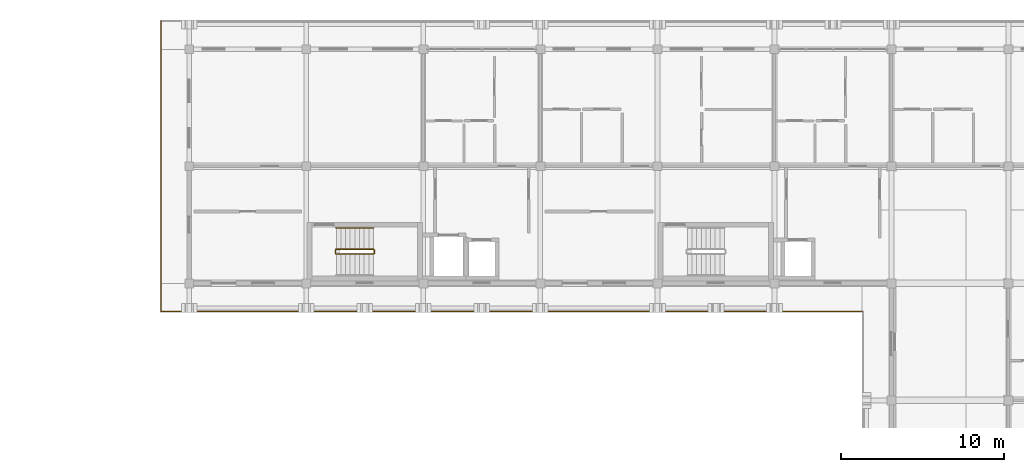
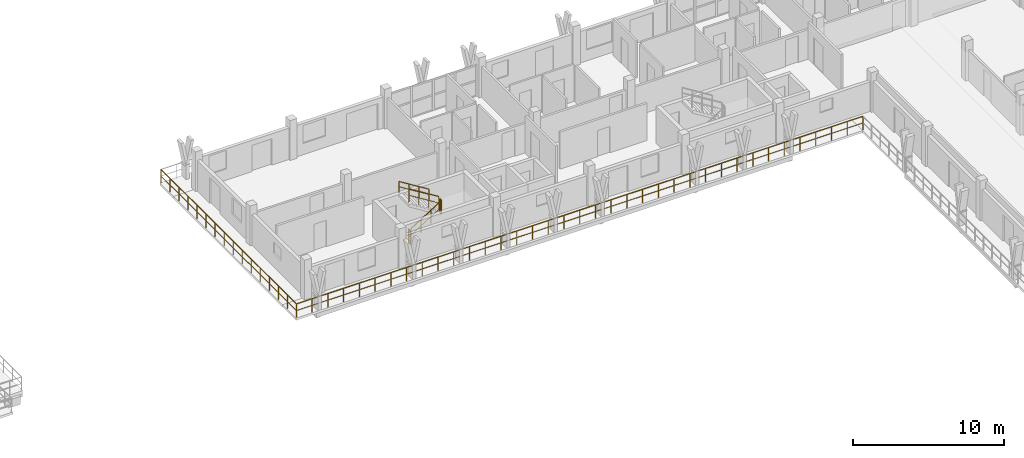
# One storey, part 65 of 67: 7 railings.
"""IFC4 building model written with IfcOpenShell, lengths in metres."""

from ifc_helpers import new_model, si_unit, direction, frame, origin, origin_2d, place, context, subcontext, project, spatial, rectangle, extrude, material, type_object, element, save


model = new_model("IFC4")

# Units and contexts
model_context = context("Model", 3, precision=1e-05, world=origin(), true_north=direction((0.0, 1.0)))
body_context = subcontext(model_context, "Body", "Model", "MODEL_VIEW")
ifc_project = project(units=[si_unit("LENGTHUNIT", "METRE"), si_unit("AREAUNIT", "SQUARE_METRE"), si_unit("VOLUMEUNIT", "CUBIC_METRE"), si_unit("PLANEANGLEUNIT", "RADIAN"), si_unit("MASSUNIT", "GRAM", prefix="KILO")], contexts=[model_context])

# Site, building, storey
site_placement = place(None, origin())
site = spatial("IfcSite", under=ifc_project, at=site_placement, CompositionType="ELEMENT")
building_placement = place(site_placement, origin())
building = spatial("IfcBuilding", under=site, at=building_placement, Name="Suanplinth Sawtooth Commons", CompositionType="ELEMENT")
storey_placement = place(building_placement, frame((0.0, 0.0, 25.10009765625)))
storey = spatial("IfcBuildingStorey", under=building, at=storey_placement, Name="L07", CompositionType="ELEMENT", Elevation=25.10009765625)

# Railings
ifc_material_1 = material(Name="Powder-coated galvanized steel", Category="steel")
railing_type_1 = type_object("IfcRailingType", Name="GR-01", PredefinedType="BALUSTRADE", material=ifc_material_1)
railing_1_placement = place(storey_placement, frame((171.06005859375, 106.260009765625, 0.0)))
element("IfcRailing", 1, at=railing_1_placement, inside=storey, type_object=railing_type_1, Name="L07 Block B Perimeter Balustrade 2", PredefinedType="BALUSTRADE", context=body_context, shape_type="SweptSolid", body=[
    extrude(rectangle(XDim=0.048095703125, YDim=0.048095703125, at=origin_2d()), frame((0.0, 0.0, 1.09619140625), z_axis=(-1.0, 0.0, 0.0), x_axis=(0.0, -1.0, 0.0)), (0.0, 0.0, 1.0), 43.199951171875),
    extrude(rectangle(XDim=0.03369140625, YDim=0.03369140625, at=origin_2d()), frame((0.0, 0.0, 0.56005859375), z_axis=(-1.0, 0.0, 0.0), x_axis=(0.0, -1.0, 0.0)), (0.0, 0.0, 1.0), 43.199951171875),
    extrude(rectangle(XDim=0.0419921875, YDim=0.0419921875, at=origin_2d()), origin(), (0.0, 0.0, 1.0), 1.072021484375),
    extrude(rectangle(XDim=0.0419921875, YDim=0.0419921875, at=origin_2d()), frame((-1.199951171875, 0.0, 0.0)), (0.0, 0.0, 1.0), 1.072021484375),
    extrude(rectangle(XDim=0.0419921875, YDim=0.0419921875, at=origin_2d()), frame((-2.39990234375, 0.0, 0.0)), (0.0, 0.0, 1.0), 1.072021484375),
    extrude(rectangle(XDim=0.0419921875, YDim=0.0419921875, at=origin_2d()), frame((-3.60009765625, 0.0, 0.0)), (0.0, 0.0, 1.0), 1.072021484375),
    extrude(rectangle(XDim=0.0419921875, YDim=0.0419921875, at=origin_2d()), frame((-4.800048828125, 0.0, 0.0)), (0.0, 0.0, 1.0), 1.072021484375),
    extrude(rectangle(XDim=0.0419921875, YDim=0.0419921875, at=origin_2d()), frame((-6.0, 0.0, 0.0)), (0.0, 0.0, 1.0), 1.072021484375),
    extrude(rectangle(XDim=0.0419921875, YDim=0.0419921875, at=origin_2d()), frame((-7.199951171875, 0.0, 0.0)), (0.0, 0.0, 1.0), 1.072021484375),
    extrude(rectangle(XDim=0.0419921875, YDim=0.0419921875, at=origin_2d()), frame((-8.39990234375, 0.0, 0.0)), (0.0, 0.0, 1.0), 1.072021484375),
    extrude(rectangle(XDim=0.0419921875, YDim=0.0419921875, at=origin_2d()), frame((-9.60009765625, 0.0, 0.0)), (0.0, 0.0, 1.0), 1.072021484375),
    extrude(rectangle(XDim=0.0419921875, YDim=0.0419921875, at=origin_2d()), frame((-10.800048828125, 0.0, 0.0)), (0.0, 0.0, 1.0), 1.072021484375),
    extrude(rectangle(XDim=0.0419921875, YDim=0.0419921875, at=origin_2d()), frame((-12.0, 0.0, 0.0)), (0.0, 0.0, 1.0), 1.072021484375),
    extrude(rectangle(XDim=0.0419921875, YDim=0.0419921875, at=origin_2d()), frame((-13.199951171875, 0.0, 0.0)), (0.0, 0.0, 1.0), 1.072021484375),
    extrude(rectangle(XDim=0.0419921875, YDim=0.0419921875, at=origin_2d()), frame((-14.39990234375, 0.0, 0.0)), (0.0, 0.0, 1.0), 1.072021484375),
    extrude(rectangle(XDim=0.0419921875, YDim=0.0419921875, at=origin_2d()), frame((-15.60009765625, 0.0, 0.0)), (0.0, 0.0, 1.0), 1.072021484375),
    extrude(rectangle(XDim=0.0419921875, YDim=0.0419921875, at=origin_2d()), frame((-16.800048828125, 0.0, 0.0)), (0.0, 0.0, 1.0), 1.072021484375),
    extrude(rectangle(XDim=0.0419921875, YDim=0.0419921875, at=origin_2d()), frame((-18.0, 0.0, 0.0)), (0.0, 0.0, 1.0), 1.072021484375),
    extrude(rectangle(XDim=0.0419921875, YDim=0.0419921875, at=origin_2d()), frame((-19.199951171875, 0.0, 0.0)), (0.0, 0.0, 1.0), 1.072021484375),
    extrude(rectangle(XDim=0.0419921875, YDim=0.0419921875, at=origin_2d()), frame((-20.39990234375, 0.0, 0.0)), (0.0, 0.0, 1.0), 1.072021484375),
    extrude(rectangle(XDim=0.0419921875, YDim=0.0419921875, at=origin_2d()), frame((-21.60009765625, 0.0, 0.0)), (0.0, 0.0, 1.0), 1.072021484375),
    extrude(rectangle(XDim=0.0419921875, YDim=0.0419921875, at=origin_2d()), frame((-22.800048828125, 0.0, 0.0)), (0.0, 0.0, 1.0), 1.072021484375),
    extrude(rectangle(XDim=0.0419921875, YDim=0.0419921875, at=origin_2d()), frame((-24.0, 0.0, 0.0)), (0.0, 0.0, 1.0), 1.072021484375),
    extrude(rectangle(XDim=0.0419921875, YDim=0.0419921875, at=origin_2d()), frame((-25.199951171875, 0.0, 0.0)), (0.0, 0.0, 1.0), 1.072021484375),
    extrude(rectangle(XDim=0.0419921875, YDim=0.0419921875, at=origin_2d()), frame((-26.39990234375, 0.0, 0.0)), (0.0, 0.0, 1.0), 1.072021484375),
    extrude(rectangle(XDim=0.0419921875, YDim=0.0419921875, at=origin_2d()), frame((-27.599853515625, 0.0, 0.0)), (0.0, 0.0, 1.0), 1.072021484375),
    extrude(rectangle(XDim=0.0419921875, YDim=0.0419921875, at=origin_2d()), frame((-28.800048828125, 0.0, 0.0)), (0.0, 0.0, 1.0), 1.072021484375),
    extrude(rectangle(XDim=0.0419921875, YDim=0.0419921875, at=origin_2d()), frame((-30.0, 0.0, 0.0)), (0.0, 0.0, 1.0), 1.072021484375),
    extrude(rectangle(XDim=0.0419921875, YDim=0.0419921875, at=origin_2d()), frame((-31.199951171875, 0.0, 0.0)), (0.0, 0.0, 1.0), 1.072021484375),
    extrude(rectangle(XDim=0.0419921875, YDim=0.0419921875, at=origin_2d()), frame((-32.39990234375, 0.0, 0.0)), (0.0, 0.0, 1.0), 1.072021484375),
    extrude(rectangle(XDim=0.0419921875, YDim=0.0419921875, at=origin_2d()), frame((-33.599853515625, 0.0, 0.0)), (0.0, 0.0, 1.0), 1.072021484375),
    extrude(rectangle(XDim=0.0419921875, YDim=0.0419921875, at=origin_2d()), frame((-34.800048828125, 0.0, 0.0)), (0.0, 0.0, 1.0), 1.072021484375),
    extrude(rectangle(XDim=0.0419921875, YDim=0.0419921875, at=origin_2d()), frame((-36.0, 0.0, 0.0)), (0.0, 0.0, 1.0), 1.072021484375),
    extrude(rectangle(XDim=0.0419921875, YDim=0.0419921875, at=origin_2d()), frame((-37.199951171875, 0.0, 0.0)), (0.0, 0.0, 1.0), 1.072021484375),
    extrude(rectangle(XDim=0.0419921875, YDim=0.0419921875, at=origin_2d()), frame((-38.39990234375, 0.0, 0.0)), (0.0, 0.0, 1.0), 1.072021484375),
    extrude(rectangle(XDim=0.0419921875, YDim=0.0419921875, at=origin_2d()), frame((-39.599853515625, 0.0, 0.0)), (0.0, 0.0, 1.0), 1.072021484375),
    extrude(rectangle(XDim=0.0419921875, YDim=0.0419921875, at=origin_2d()), frame((-40.800048828125, 0.0, 0.0)), (0.0, 0.0, 1.0), 1.072021484375),
    extrude(rectangle(XDim=0.0419921875, YDim=0.0419921875, at=origin_2d()), frame((-42.0, 0.0, 0.0)), (0.0, 0.0, 1.0), 1.072021484375),
    extrude(rectangle(XDim=0.0419921875, YDim=0.0419921875, at=origin_2d()), frame((-43.199951171875, 0.0, 0.0)), (0.0, 0.0, 1.0), 1.072021484375),
])
railing_2_placement = place(storey_placement, frame((127.860107421875, 106.260009765625, 0.0)))
element("IfcRailing", 2, at=railing_2_placement, inside=storey, type_object=railing_type_1, Name="L07 Block B Perimeter Balustrade 3", PredefinedType="BALUSTRADE", context=body_context, shape_type="SweptSolid", body=[
    extrude(rectangle(XDim=0.048095703125, YDim=0.048095703125, at=origin_2d()), frame((0.0, 0.0, 1.09619140625), z_axis=(0.0, 1.0, 0.0), x_axis=(-1.0, 0.0, 0.0)), (0.0, 0.0, 1.0), 17.8798828125),
    extrude(rectangle(XDim=0.03369140625, YDim=0.03369140625, at=origin_2d()), frame((0.0, 0.0, 0.56005859375), z_axis=(0.0, 1.0, 0.0), x_axis=(-1.0, 0.0, 0.0)), (0.0, 0.0, 1.0), 17.8798828125),
    extrude(rectangle(XDim=0.0419921875, YDim=0.0419921875, at=origin_2d()), origin(), (0.0, 0.0, 1.0), 1.072021484375),
    extrude(rectangle(XDim=0.0419921875, YDim=0.0419921875, at=origin_2d()), frame((0.0, 1.19189453125, 0.0)), (0.0, 0.0, 1.0), 1.072021484375),
    extrude(rectangle(XDim=0.0419921875, YDim=0.0419921875, at=origin_2d()), frame((0.0, 2.384033203125, 0.0)), (0.0, 0.0, 1.0), 1.072021484375),
    extrude(rectangle(XDim=0.0419921875, YDim=0.0419921875, at=origin_2d()), frame((0.0, 3.575927734375, 0.0)), (0.0, 0.0, 1.0), 1.072021484375),
    extrude(rectangle(XDim=0.0419921875, YDim=0.0419921875, at=origin_2d()), frame((0.0, 4.76806640625, 0.0)), (0.0, 0.0, 1.0), 1.072021484375),
    extrude(rectangle(XDim=0.0419921875, YDim=0.0419921875, at=origin_2d()), frame((0.0, 5.9599609375, 0.0)), (0.0, 0.0, 1.0), 1.072021484375),
    extrude(rectangle(XDim=0.0419921875, YDim=0.0419921875, at=origin_2d()), frame((0.0, 7.15185546875, 0.0)), (0.0, 0.0, 1.0), 1.072021484375),
    extrude(rectangle(XDim=0.0419921875, YDim=0.0419921875, at=origin_2d()), frame((0.0, 8.343994140625, 0.0)), (0.0, 0.0, 1.0), 1.072021484375),
    extrude(rectangle(XDim=0.0419921875, YDim=0.0419921875, at=origin_2d()), frame((0.0, 9.535888671875, 0.0)), (0.0, 0.0, 1.0), 1.072021484375),
    extrude(rectangle(XDim=0.0419921875, YDim=0.0419921875, at=origin_2d()), frame((0.0, 10.72802734375, 0.0)), (0.0, 0.0, 1.0), 1.072021484375),
    extrude(rectangle(XDim=0.0419921875, YDim=0.0419921875, at=origin_2d()), frame((0.0, 11.919921875, 0.0)), (0.0, 0.0, 1.0), 1.072021484375),
    extrude(rectangle(XDim=0.0419921875, YDim=0.0419921875, at=origin_2d()), frame((0.0, 13.11181640625, 0.0)), (0.0, 0.0, 1.0), 1.072021484375),
    extrude(rectangle(XDim=0.0419921875, YDim=0.0419921875, at=origin_2d()), frame((0.0, 14.303955078125, 0.0)), (0.0, 0.0, 1.0), 1.072021484375),
    extrude(rectangle(XDim=0.0419921875, YDim=0.0419921875, at=origin_2d()), frame((0.0, 15.495849609375, 0.0)), (0.0, 0.0, 1.0), 1.072021484375),
    extrude(rectangle(XDim=0.0419921875, YDim=0.0419921875, at=origin_2d()), frame((0.0, 16.68798828125, 0.0)), (0.0, 0.0, 1.0), 1.072021484375),
    extrude(rectangle(XDim=0.0419921875, YDim=0.0419921875, at=origin_2d()), frame((0.0, 17.8798828125, 0.0)), (0.0, 0.0, 1.0), 1.072021484375),
])
ifc_material_2 = material(Name="Stainless steel Grade 304", Category="steel")
railing_type_2 = type_object("IfcRailingType", Name="GR-04", PredefinedType="GUARDRAIL", material=ifc_material_2)
railing_3_placement = place(storey_placement, frame((138.64990234375, 109.800048828125, 0.177734375)))
element("IfcRailing", 3, at=railing_3_placement, inside=storey, type_object=railing_type_2, Name="L07 ST-E1 Guard 1", PredefinedType="GUARDRAIL", context=body_context, shape_type="SweptSolid", body=[
    extrude(rectangle(XDim=0.048095703125, YDim=0.048095703125, at=origin_2d()), frame((0.0, 0.0, 1.076171875), z_axis=(0.848482842525, 0.0, 0.529222888715), x_axis=(0.0, 1.0, 0.0)), (0.0, 0.0, 1.0), 2.687255859375),
    extrude(rectangle(XDim=0.03369140625, YDim=0.03369140625, at=origin_2d()), frame((0.0, 0.0, 0.550048828125), z_axis=(0.848482842525, 0.0, 0.529222888715), x_axis=(0.0, 1.0, 0.0)), (0.0, 0.0, 1.0), 2.687255859375),
    extrude(rectangle(XDim=0.0419921875, YDim=0.0419921875, at=origin_2d()), origin(), (0.0, 0.0, 1.0), 1.052001953125),
    extrude(rectangle(XDim=0.0419921875, YDim=0.0419921875, at=origin_2d()), frame((0.760009765625, 0.0, 0.47412109375)), (0.0, 0.0, 1.0), 1.052001953125),
    extrude(rectangle(XDim=0.0419921875, YDim=0.0419921875, at=origin_2d()), frame((1.52001953125, 0.0, 0.947998046875)), (0.0, 0.0, 1.0), 1.052001953125),
    extrude(rectangle(XDim=0.0419921875, YDim=0.0419921875, at=origin_2d()), frame((2.280029296875, 0.0, 1.422119140625)), (0.0, 0.0, 1.0), 1.052001953125),
])
railing_4_placement = place(storey_placement, frame((140.97998046875, 109.85009765625, 1.599853515625)))
element("IfcRailing", 4, at=railing_4_placement, inside=storey, type_object=railing_type_2, Name="L07 ST-E1 Guard 2", PredefinedType="GUARDRAIL", context=body_context, shape_type="SweptSolid", body=[
    extrude(rectangle(XDim=0.048095703125, YDim=0.048095703125, at=origin_2d()), frame((0.0, 0.0, 1.076171875), z_axis=(0.0, 1.0, 0.0), x_axis=(-1.0, 0.0, 0.0)), (0.0, 0.0, 1.0), 0.199951171875),
    extrude(rectangle(XDim=0.03369140625, YDim=0.03369140625, at=origin_2d()), frame((0.0, 0.0, 0.550048828125), z_axis=(0.0, 1.0, 0.0), x_axis=(-1.0, 0.0, 0.0)), (0.0, 0.0, 1.0), 0.199951171875),
    extrude(rectangle(XDim=0.0419921875, YDim=0.0419921875, at=origin_2d()), origin(), (0.0, 0.0, 1.0), 1.052001953125),
    extrude(rectangle(XDim=0.0419921875, YDim=0.0419921875, at=origin_2d()), frame((0.0, 0.199951171875, 0.0)), (0.0, 0.0, 1.0), 1.052001953125),
])
railing_5_placement = place(storey_placement, frame((140.929931640625, 110.10009765625, 1.777587890625)))
element("IfcRailing", 5, at=railing_5_placement, inside=storey, type_object=railing_type_2, Name="L07 ST-E1 Guard 3", PredefinedType="GUARDRAIL", context=body_context, shape_type="SweptSolid", body=[
    extrude(rectangle(XDim=0.048095703125, YDim=0.048095703125, at=origin_2d()), frame((0.0, 0.0, 1.076171875), z_axis=(-0.848442045328, 0.0, 0.529288291689), x_axis=(0.0, -1.0, 0.0)), (0.0, 0.0, 1.0), 2.687255859375),
    extrude(rectangle(XDim=0.03369140625, YDim=0.03369140625, at=origin_2d()), frame((0.0, 0.0, 0.550048828125), z_axis=(-0.848442045328, 0.0, 0.529288291689), x_axis=(0.0, -1.0, 0.0)), (0.0, 0.0, 1.0), 2.687255859375),
    extrude(rectangle(XDim=0.0419921875, YDim=0.0419921875, at=origin_2d()), origin(), (0.0, 0.0, 1.0), 1.052001953125),
    extrude(rectangle(XDim=0.0419921875, YDim=0.0419921875, at=origin_2d()), frame((-0.760009765625, 0.0, 0.47412109375)), (0.0, 0.0, 1.0), 1.052001953125),
    extrude(rectangle(XDim=0.0419921875, YDim=0.0419921875, at=origin_2d()), frame((-1.52001953125, 0.0, 0.9482421875)), (0.0, 0.0, 1.0), 1.052001953125),
    extrude(rectangle(XDim=0.0419921875, YDim=0.0419921875, at=origin_2d()), frame((-2.280029296875, 0.0, 1.42236328125)), (0.0, 0.0, 1.0), 1.052001953125),
])
railing_6_placement = place(storey_placement, frame((138.60009765625, 109.85009765625, 0.0)))
element("IfcRailing", 6, at=railing_6_placement, inside=storey, type_object=railing_type_2, Name="L07 ST-E1 Guard 4", PredefinedType="GUARDRAIL", context=body_context, shape_type="SweptSolid", body=[
    extrude(rectangle(XDim=0.048095703125, YDim=0.048095703125, at=origin_2d()), frame((0.0, 0.0, 1.076171875), z_axis=(0.0, 1.0, 0.0), x_axis=(-1.0, 0.0, 0.0)), (0.0, 0.0, 1.0), 0.199951171875),
    extrude(rectangle(XDim=0.03369140625, YDim=0.03369140625, at=origin_2d()), frame((0.0, 0.0, 0.550048828125), z_axis=(0.0, 1.0, 0.0), x_axis=(-1.0, 0.0, 0.0)), (0.0, 0.0, 1.0), 0.199951171875),
    extrude(rectangle(XDim=0.0419921875, YDim=0.0419921875, at=origin_2d()), origin(), (0.0, 0.0, 1.0), 1.052001953125),
    extrude(rectangle(XDim=0.0419921875, YDim=0.0419921875, at=origin_2d()), frame((0.0, 0.199951171875, 0.0)), (0.0, 0.0, 1.0), 1.052001953125),
])
railing_type_3 = type_object("IfcRailingType", Name="HR-01", PredefinedType="HANDRAIL", material=ifc_material_2)
railing_7_placement = place(storey_placement, frame((140.929931640625, 111.39990234375, 1.777587890625)))
element("IfcRailing", 7, at=railing_7_placement, inside=storey, type_object=railing_type_3, Name="L07 ST-E1 Handrail 2", PredefinedType="HANDRAIL", context=body_context, shape_type="SweptSolid", body=[
    extrude(rectangle(XDim=0.048095703125, YDim=0.048095703125, at=origin_2d()), frame((0.0, 0.0, 0.8759765625), z_axis=(-0.848442045328, 0.0, 0.529288291689), x_axis=(0.0, -1.0, 0.0)), (0.0, 0.0, 1.0), 2.687255859375),
    extrude(rectangle(XDim=0.03369140625, YDim=0.03369140625, at=origin_2d()), frame((0.0, 0.0, 0.449951171875), z_axis=(-0.848442045328, 0.0, 0.529288291689), x_axis=(0.0, -1.0, 0.0)), (0.0, 0.0, 1.0), 2.687255859375),
    extrude(rectangle(XDim=0.0419921875, YDim=0.0419921875, at=origin_2d()), origin(), (0.0, 0.0, 1.0), 0.851806640625),
    extrude(rectangle(XDim=0.0419921875, YDim=0.0419921875, at=origin_2d()), frame((-0.760009765625, 0.0, 0.47412109375)), (0.0, 0.0, 1.0), 0.851806640625),
    extrude(rectangle(XDim=0.0419921875, YDim=0.0419921875, at=origin_2d()), frame((-1.52001953125, 0.0, 0.9482421875)), (0.0, 0.0, 1.0), 0.851806640625),
    extrude(rectangle(XDim=0.0419921875, YDim=0.0419921875, at=origin_2d()), frame((-2.280029296875, 0.0, 1.42236328125)), (0.0, 0.0, 1.0), 0.851806640625),
])

save(model, "model.ifc")
